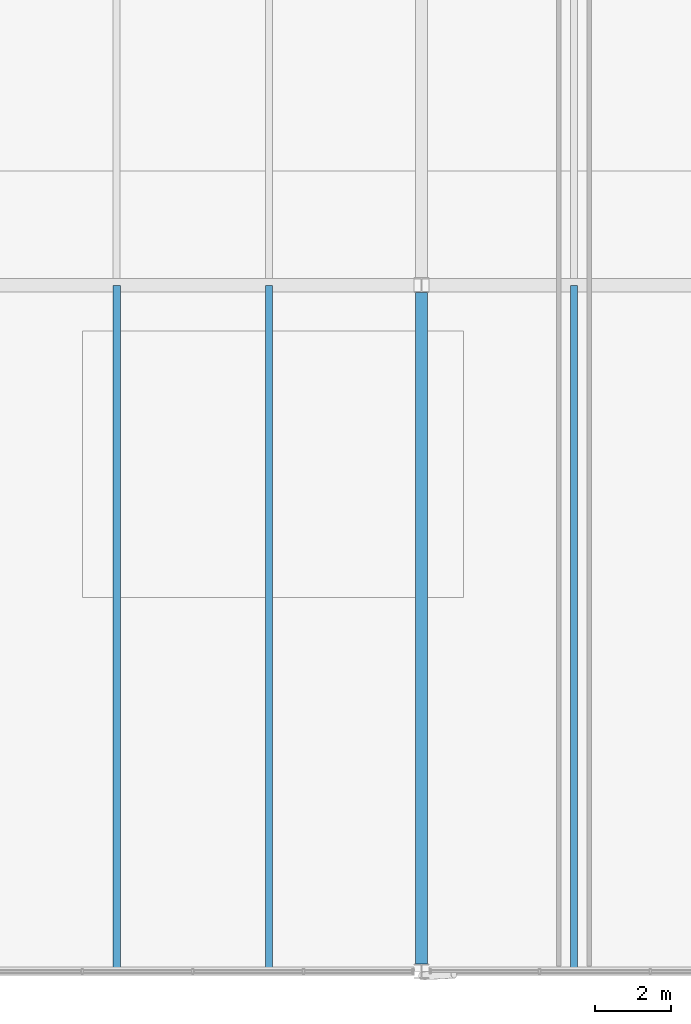
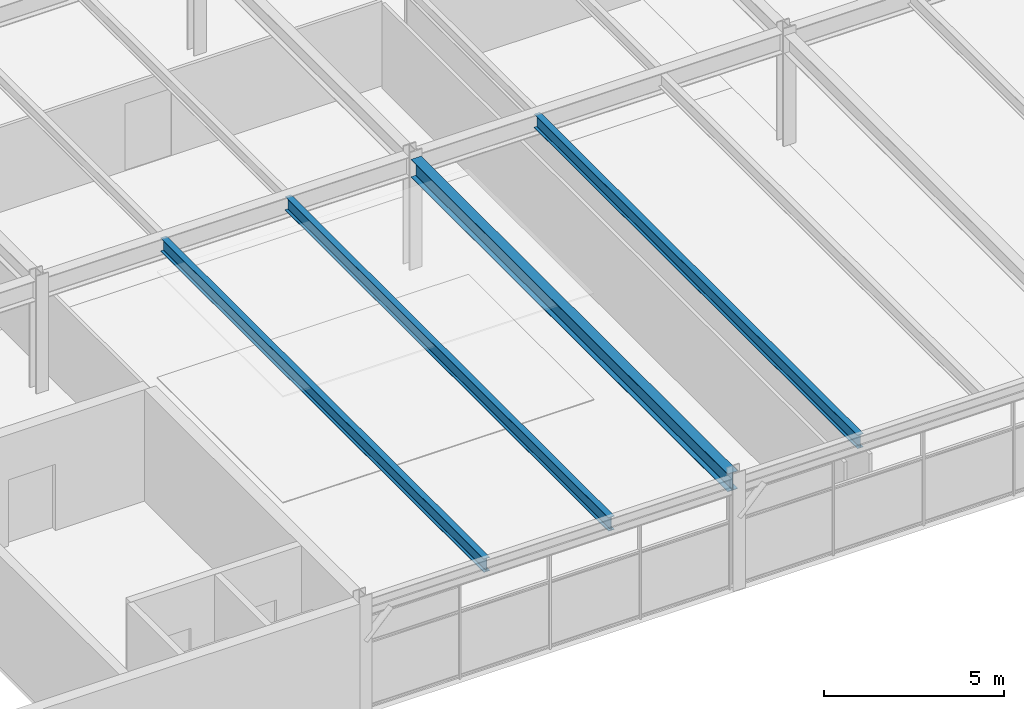
# One storey, part 29 of 52: 4 beams.
"""IFC4 building model written with IfcOpenShell, lengths in metres."""

import ifcopenshell
import ifcopenshell.guid

model = None  # the IFC model being written
_history = None  # IfcOwnerHistory: only IFC2X3 demands one
_inside = {}  # id of a spatial element -> (the spatial element, [elements in it])
_under = {}  # id of a project, library or spatial element -> (it, [spatial elements below it])
_declared = {}  # id of a project -> (the project, [libraries it declares])
_typed = {}  # id of a type object -> (the type object, [elements of that type])
_made_of = {}  # id of a material, layer set ... -> (it, [elements and type objects made of it])


def new_model(schema):
    """Start an empty IFC model of exactly this schema.

    Asked for "IFC4X3", IfcOpenShell would pick the latest addendum, in which some entities
    have other attributes; the version numbers below select the first issue.
    IFC2X3 requires an IfcOwnerHistory on every rooted entity: one is made here for all.
    """
    global model, _history
    if schema == "IFC4X3":
        model = ifcopenshell.file(schema_version=(4, 3, 0, 0))
    else:
        model = ifcopenshell.file(schema=schema)
    _inside.clear()
    _under.clear()
    _declared.clear()
    _typed.clear()
    _made_of.clear()
    _history = None
    if model.schema == "IFC2X3":
        org = make("IfcOrganization", Name="unknown")
        user = make(
            "IfcPersonAndOrganization",
            ThePerson=make("IfcPerson", FamilyName="unknown"),
            TheOrganization=org,
        )
        app = make(
            "IfcApplication",
            ApplicationDeveloper=org,
            Version="unknown",
            ApplicationFullName="unknown",
            ApplicationIdentifier="unknown",
        )
        _history = make(
            "IfcOwnerHistory",
            OwningUser=user,
            OwningApplication=app,
            ChangeAction="ADDED",
            CreationDate=0,
        )
    return model


def make(cls, **values):
    """One entity of the class cls with the attributes given. An attribute that is None is left unset."""
    return model.create_entity(
        cls, **{name: value for name, value in values.items() if value is not None}
    )


def rooted(cls, **values):
    """An entity with a GlobalId (a new one), such as an element, a storey or a relation."""
    return make(cls, GlobalId=ifcopenshell.guid.new(), OwnerHistory=_history, **values)


def si_unit(unit_type, name, prefix=None):
    """IfcSIUnit, for example si_unit("LENGTHUNIT", "METRE", prefix="MILLI")."""
    return make("IfcSIUnit", UnitType=unit_type, Prefix=prefix, Name=name)


def assignment(units):
    """IfcUnitAssignment: the units of a project."""
    return None if units is None else make("IfcUnitAssignment", Units=units)


def point(xyz):
    """IfcCartesianPoint."""
    return None if xyz is None else make("IfcCartesianPoint", Coordinates=xyz)


def direction(xyz):
    """IfcDirection."""
    return None if xyz is None else make("IfcDirection", DirectionRatios=xyz)


def frame(location, z_axis=None, x_axis=None):
    """IfcAxis2Placement3D, a coordinate frame: its origin and axes. An axis left out is left unset."""
    return make(
        "IfcAxis2Placement3D",
        Location=point(location),
        Axis=direction(z_axis),
        RefDirection=direction(x_axis),
    )


def frame_2d(location, x_axis=None):
    """IfcAxis2Placement2D, a coordinate frame in the plane: its origin and x axis."""
    return make(
        "IfcAxis2Placement2D", Location=point(location), RefDirection=direction(x_axis)
    )


def origin():
    """The frame at (0, 0, 0) with its axes left unset."""
    return frame((0.0, 0.0, 0.0))


def origin_2d():
    """The frame at (0, 0) in the plane with its x axis left unset."""
    return frame_2d((0.0, 0.0))


def place(relative_to, where):
    """IfcLocalPlacement: puts the frame where relative to a parent placement (None: the world)."""
    return make(
        "IfcLocalPlacement", PlacementRelTo=relative_to, RelativePlacement=where
    )


def context(
    kind, dimensions, precision=None, world=None, true_north=None, identifier=None
):
    """IfcGeometricRepresentationContext, for example the 3D "Model" context."""
    return make(
        "IfcGeometricRepresentationContext",
        ContextIdentifier=identifier,
        ContextType=kind,
        CoordinateSpaceDimension=dimensions,
        Precision=precision,
        WorldCoordinateSystem=world,
        TrueNorth=true_north,
    )


def subcontext(parent, identifier, kind, view, scale=None):
    """IfcGeometricRepresentationSubContext, for example "Body" below "Model"."""
    return make(
        "IfcGeometricRepresentationSubContext",
        ContextIdentifier=identifier,
        ContextType=kind,
        ParentContext=parent,
        TargetScale=scale,
        TargetView=view,
    )


def project(units=None, contexts=None):
    """IfcProject with its units and contexts."""
    return rooted(
        "IfcProject",
        Name="project",
        RepresentationContexts=contexts,
        UnitsInContext=assignment(units),
    )


def spatial(cls, under=None, at=None, **own):
    """A site, building, storey or space (cls), placed at a placement, below another one or the project."""
    s = rooted(cls, ObjectPlacement=at, **own)
    if under is not None:
        _under.setdefault(under.id(), (under, []))[1].append(s)
    return s


def profile(cls, at=None, kind="AREA", **sizes):
    """A parametric profile (cls). Its sizes go by their IFC names, for example OverallWidth=200.0."""
    return make(cls, ProfileType=kind, Position=at, **sizes)


def i_section(**sizes):
    """IfcIShapeProfileDef."""
    return profile("IfcIShapeProfileDef", **sizes)


def extrude(swept, where, along, depth):
    """IfcExtrudedAreaSolid: the profile swept, set in the frame where, extruded along a direction by depth."""
    return make(
        "IfcExtrudedAreaSolid",
        SweptArea=swept,
        Position=where,
        ExtrudedDirection=direction(along),
        Depth=depth,
    )


def shape(context_of_items, identifier, shape_type, items):
    """IfcShapeRepresentation: the items that make up one representation, for example the "Body"."""
    return make(
        "IfcShapeRepresentation",
        ContextOfItems=context_of_items,
        RepresentationIdentifier=identifier,
        RepresentationType=shape_type,
        Items=items,
    )


def material(Name=None, Category=None):
    """IfcMaterial."""
    return make("IfcMaterial", Name=Name, Category=Category)


def material_profile(
    of_material, cross_section, Name=None, Category=None, Priority=None
):
    """IfcMaterialProfile: a cross section and its material."""
    return make(
        "IfcMaterialProfile",
        Name=Name,
        Material=of_material,
        Profile=cross_section,
        Priority=Priority,
        Category=Category,
    )


def profile_set(profiles, Name=None, composite=None):
    """IfcMaterialProfileSet."""
    return make(
        "IfcMaterialProfileSet",
        Name=Name,
        MaterialProfiles=profiles,
        CompositeProfile=composite,
    )


def made_of(thing, what):
    """Note that an element or type object is made of a material, layer set ...; save() writes the relation."""
    if what is not None:
        _made_of.setdefault(what.id(), (what, []))[1].append(thing)
    return thing


def type_object(cls, material=None, **own):
    """A type object (cls), such as IfcWallType, which elements share."""
    return made_of(rooted(cls, **own), material)


def element(
    cls,
    number,
    at=None,
    inside=None,
    cuts=None,
    type_object=None,
    material=None,
    context=None,
    identifier="Body",
    shape_type=None,
    held_by="IfcProductDefinitionShape",
    body=None,
    shapes=None,
    **own,
):
    """One element of the class cls, such as IfcWall. Its Tag is "e" and its number.

    at: its placement. inside: the storey or other place that contains it. cuts: it is an
    opening in that element (IfcRelVoidsElement). A single representation is given by context,
    identifier, shape_type and body (its items); several are given by shapes. held_by: the class
    of the entity that holds the representations. save() writes the other relations.
    """
    e = rooted(cls, Tag="e%d" % number, ObjectPlacement=at, **own)
    if body is not None:
        shapes = [shape(context, identifier, shape_type, body)]
    if shapes is not None:
        e.Representation = make(held_by, Representations=shapes)
    if inside is not None:
        _inside.setdefault(inside.id(), (inside, []))[1].append(e)
    if cuts is not None:
        rooted(
            "IfcRelVoidsElement", RelatingBuildingElement=cuts, RelatedOpeningElement=e
        )
    if type_object is not None:
        _typed.setdefault(type_object.id(), (type_object, []))[1].append(e)
    return made_of(e, material)


def aggregate(whole, parts):
    """IfcRelAggregates: a whole, such as a stair, and the parts it consists of."""
    return rooted("IfcRelAggregates", RelatingObject=whole, RelatedObjects=parts)


def save(model, path):
    """Write the relations noted so far, then the file.

    IfcRelAggregates (storeys below a building ...), IfcRelContainedInSpatialStructure (elements
    in a storey), IfcRelDefinesByType, IfcRelAssociatesMaterial and IfcRelDeclares: one each for
    every whole, place, type object, material and project.
    """
    for whole, parts in _under.values():
        aggregate(whole, parts)
    for where, things in _inside.values():
        rooted(
            "IfcRelContainedInSpatialStructure",
            RelatedElements=things,
            RelatingStructure=where,
        )
    for kind, things in _typed.values():
        rooted("IfcRelDefinesByType", RelatedObjects=things, RelatingType=kind)
    for what, things in _made_of.values():
        rooted("IfcRelAssociatesMaterial", RelatedObjects=things, RelatingMaterial=what)
    for by, libraries in _declared.values():
        rooted("IfcRelDeclares", RelatingContext=by, RelatedDefinitions=libraries)
    model.write(path)


model = new_model("IFC4")

# Units and contexts
model_context = context("Model", 3, precision=1e-05, world=origin(), true_north=direction((0.0, 1.0)))
body_context = subcontext(model_context, "Body", "Model", "MODEL_VIEW")
ifc_project = project(units=[si_unit("LENGTHUNIT", "METRE"), si_unit("AREAUNIT", "SQUARE_METRE"), si_unit("VOLUMEUNIT", "CUBIC_METRE"), si_unit("PLANEANGLEUNIT", "RADIAN"), si_unit("MASSUNIT", "GRAM", prefix="KILO")], contexts=[model_context])

# Site, building, storey
site_placement = place(None, origin())
site = spatial("IfcSite", under=ifc_project, at=site_placement, CompositionType="ELEMENT")
building_placement = place(site_placement, origin())
building = spatial("IfcBuilding", under=site, at=building_placement, Name="Girod Span Mobility Hub", CompositionType="ELEMENT")
storey_placement = place(building_placement, frame((0.0, 0.0, 45.60009765625)))
storey = spatial("IfcBuildingStorey", under=building, at=storey_placement, Name="L11", CompositionType="ELEMENT", Elevation=45.60009765625)

# Beams
ifc_material_1 = material(Name="Steel A992 Grade 50", Category="steel")
ifc_material_profile_1 = material_profile(ifc_material_1, i_section(OverallWidth=0.19189453125, OverallDepth=0.462890625, WebThickness=0.010498046875, FlangeThickness=0.017578125, FilletRadius=0.013916015625, at=origin_2d()), Name="W18X60")
ifc_profile_set_1 = profile_set([ifc_material_profile_1], Name="Steel A992 Grade 50")
beam_type_1 = type_object("IfcBeamType", Name="BM-STL-W18X60", PredefinedType="BEAM", material=ifc_profile_set_1)
for number, where, z_axis, x_axis, name in (
    (1, (88.0, 27.0048828125, 3.5283203125), (0.0, 1.0, 0.0), (-1.0, 0.0, 0.0), "Composite Floorbeam 8/C-1 L11"),
    (2, (92.0, 27.0048828125, 3.5283203125), (0.0, 1.0, 0.0), (-1.0, 0.0, 0.0), "Composite Floorbeam 8/C-2 L11"),
    (3, (100.0, 27.0048828125, 3.5283203125), (0.0, 1.0, 0.0), (-1.0, 0.0, 0.0), "Composite Floorbeam 9/C-1 L11"),
):
    element("IfcBeam", number, at=place(storey_placement, frame(where, z_axis=z_axis, x_axis=x_axis)), inside=storey, type_object=beam_type_1, Name=name, PredefinedType="BEAM", context=body_context, shape_type="SweptSolid", body=[
        extrude(i_section(OverallWidth=0.19189453125, OverallDepth=0.462890625, WebThickness=0.010498046875, FlangeThickness=0.017578125, FilletRadius=0.013916015625, at=origin_2d()), origin(), (0.0, 0.0, 1.0), 17.990234375),
    ])
ifc_material_2 = material(Name="Steel A992 Grade 50", Category="steel")
ifc_material_profile_2 = material_profile(ifc_material_2, i_section(OverallWidth=0.323974609375, OverallDepth=0.611083984375, WebThickness=0.0126953125, FlangeThickness=0.01904296875, FilletRadius=0.014892578125, at=origin_2d()), Name="W24X104")
ifc_profile_set_2 = profile_set([ifc_material_profile_2], Name="Steel A992 Grade 50")
beam_type_2 = type_object("IfcBeamType", Name="BM-STL-W24X104", PredefinedType="BEAM", material=ifc_profile_set_2)
beam_placement = place(storey_placement, frame((96.0, 27.1845703125, 3.454345703125), z_axis=(0.0, 1.0, 0.0), x_axis=(-1.0, 0.0, 0.0)))
element("IfcBeam", 4, at=beam_placement, inside=storey, type_object=beam_type_2, Name="Tie Girder 9/C-D L11", PredefinedType="BEAM", context=body_context, shape_type="SweptSolid", body=[
    extrude(i_section(OverallWidth=0.323974609375, OverallDepth=0.611083984375, WebThickness=0.0126953125, FlangeThickness=0.01904296875, FilletRadius=0.014892578125, at=origin_2d()), origin(), (0.0, 0.0, 1.0), 17.621826171875),
])

save(model, "model.ifc")
